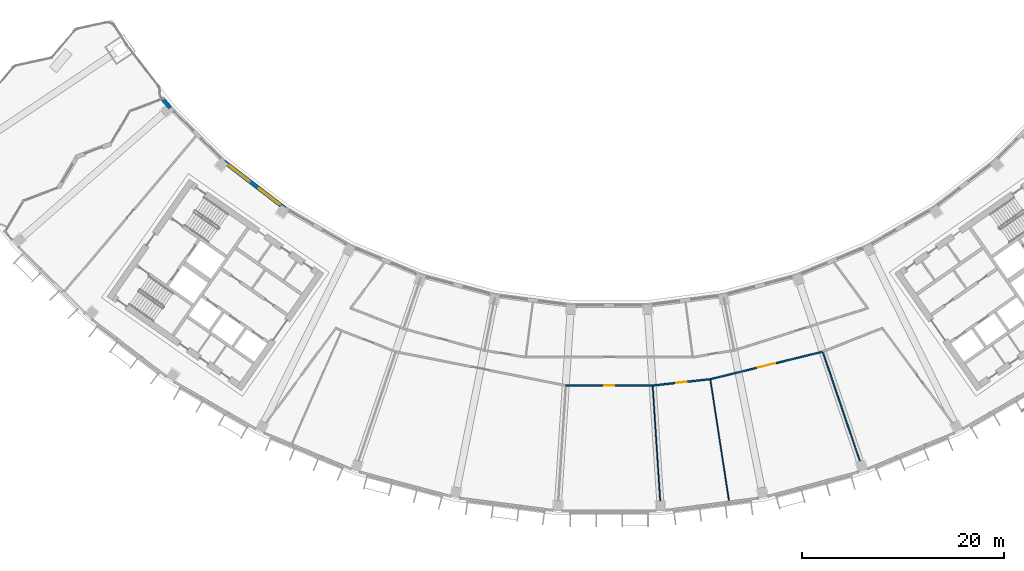
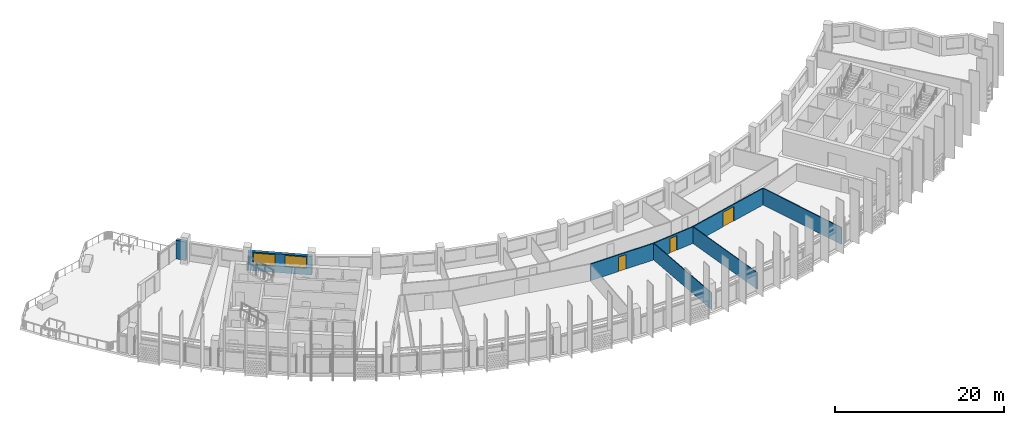
# One storey, part 4 of 29: 8 walls, 3 doors, 2 windows, 5 openings.
"""IFC4 building model written with IfcOpenShell, lengths in metres."""

from ifc_helpers import new_model, si_unit, direction, frame, frame_2d, origin, place, context, subcontext, project, spatial, rectangle, extrude, material, layer, layer_set, type_object, element, fill, save


model = new_model("IFC4")

# Units and contexts
model_context = context("Model", 3, precision=1e-05, world=origin(), true_north=direction((0.0, 1.0)))
body_context = subcontext(model_context, "Body", "Model", "MODEL_VIEW")
ifc_project = project(units=[si_unit("LENGTHUNIT", "METRE"), si_unit("AREAUNIT", "SQUARE_METRE"), si_unit("VOLUMEUNIT", "CUBIC_METRE"), si_unit("PLANEANGLEUNIT", "RADIAN"), si_unit("MASSUNIT", "GRAM", prefix="KILO")], contexts=[model_context])

# Site, building, storey
site_placement = place(None, origin())
site = spatial("IfcSite", under=ifc_project, at=site_placement, CompositionType="ELEMENT")
building_placement = place(site_placement, origin())
building = spatial("IfcBuilding", under=site, at=building_placement, Name="Qamariyya Broadcast Tower", CompositionType="ELEMENT")
storey_placement = place(building_placement, frame((0.0, 0.0, 258.10009765625)))
storey = spatial("IfcBuildingStorey", under=building, at=storey_placement, Name="L62", CompositionType="ELEMENT", Elevation=258.10009765625)

# Wall, opening, door
ifc_material_1 = material(Name="Gypsum board partition")
ifc_layer_1 = layer(ifc_material_1, 0.14990234375)
ifc_layer_set_1 = layer_set([ifc_layer_1], Name="Corridor partition 150 EI 60")
wall_type_1 = type_object("IfcWallType", Name="Corridor partition 150 EI 60", PredefinedType="PARTITIONING", material=ifc_layer_set_1)
wall_1_placement = place(storey_placement, frame((4.303466796875, -65.6591796875, 0.0), z_axis=(0.0, 0.0, 1.0), x_axis=(-1.0, 0.0, 0.0)))
wall_1 = element("IfcWall", 1, at=wall_1_placement, inside=storey, type_object=wall_type_1, Name="Partition L62-017", PredefinedType="PARTITIONING", context=body_context, shape_type="SweptSolid", body=[
    extrude(rectangle(XDim=8.60693359375, YDim=0.14990234375, at=frame_2d((4.303466796875, 0.0))), origin(), (0.0, 0.0, 1.0), 2.39990234375),
])
opening_1_placement = place(wall_1_placement, frame((3.803466796875, 0.0, 0.0)))
opening_1 = element("IfcOpeningElement", 2, at=opening_1_placement, cuts=wall_1, Name="Opening L62-D04", PredefinedType="OPENING", context=body_context, shape_type="SweptSolid", body=[
    extrude(rectangle(XDim=1.0, YDim=2.10009765625, at=frame_2d((0.5, 1.050048828125))), frame((0.0, 0.0849609375, 0.0), z_axis=(0.0, -1.0, 0.0), x_axis=(1.0, 0.0, 0.0)), (0.0, 0.0, 1.0), 0.169921875),
])
ifc_material_2 = material(Name="Timber fire door leaf", Category="wood")
door_type_1 = type_object("IfcDoorType", Name="Fire door 1000 x 2100 FD60", OperationType="NOTDEFINED", PredefinedType="DOOR", material=ifc_material_2)
door_1_placement = place(opening_1_placement, origin())
door_1 = element("IfcDoor", 3, at=door_1_placement, inside=storey, type_object=door_type_1, Name="Door L62-D04", OperationType="SINGLE_SWING_RIGHT", OverallHeight=2.10009765625, OverallWidth=1.0, PredefinedType="DOOR", context=body_context, shape_type="SweptSolid", body=[
    extrude(rectangle(XDim=1.0, YDim=2.10009765625, at=frame_2d((0.5, 1.050048828125))), frame((0.0, 0.02490234375, 0.0), z_axis=(0.0, -1.0, 0.0), x_axis=(1.0, 0.0, 0.0)), (0.0, 0.0, 1.0), 0.050048828125),
])
fill(opening_1, door_1)

wall_2_placement = place(storey_placement, frame((10.011474609375, -65.033935546875, 0.0), z_axis=(0.0, 0.0, 1.0), x_axis=(-0.99405415906, -0.108886770802, 0.0)))
wall_2 = element("IfcWall", 4, at=wall_2_placement, inside=storey, type_object=wall_type_1, Name="Partition L62-018", PredefinedType="PARTITIONING", context=body_context, shape_type="SweptSolid", body=[
    extrude(rectangle(XDim=5.7421875, YDim=0.14990234375, at=frame_2d((2.87109375, 0.0))), origin(), (0.0, 0.0, 1.0), 2.39990234375),
])
opening_2_placement = place(wall_2_placement, frame((2.37109375, 0.0, 0.0)))
opening_2 = element("IfcOpeningElement", 5, at=opening_2_placement, cuts=wall_2, Name="Opening L62-D05", PredefinedType="OPENING", context=body_context, shape_type="SweptSolid", body=[
    extrude(rectangle(XDim=1.0, YDim=2.10009765625, at=frame_2d((0.5, 1.050048828125))), frame((0.0, 0.0849609375, 0.0), z_axis=(0.0, -1.0, 0.0), x_axis=(1.0, 0.0, 0.0)), (0.0, 0.0, 1.0), 0.169921875),
])
door_2_placement = place(opening_2_placement, origin())
door_2 = element("IfcDoor", 6, at=door_2_placement, inside=storey, type_object=door_type_1, Name="Door L62-D05", OperationType="SINGLE_SWING_RIGHT", OverallHeight=2.10009765625, OverallWidth=1.0, PredefinedType="DOOR", context=body_context, shape_type="SweptSolid", body=[
    extrude(rectangle(XDim=1.0, YDim=2.10009765625, at=frame_2d((0.5, 1.050048828125))), frame((0.0, 0.02490234375, 0.0), z_axis=(0.0, -1.0, 0.0), x_axis=(1.0, 0.0, 0.0)), (0.0, 0.0, 1.0), 0.050048828125),
])
fill(opening_2, door_2)

wall_3_placement = place(storey_placement, frame((21.150634765625, -62.30810546875, 0.0), z_axis=(0.0, 0.0, 1.0), x_axis=(-0.971340158638, -0.23769370252, 0.0)))
wall_3 = element("IfcWall", 7, at=wall_3_placement, inside=storey, type_object=wall_type_1, Name="Partition L62-022", PredefinedType="PARTITIONING", context=body_context, shape_type="SweptSolid", body=[
    extrude(rectangle(XDim=11.4677734375, YDim=0.14990234375, at=frame_2d((5.73388671875, 0.0))), origin(), (0.0, 0.0, 1.0), 2.39990234375),
])
opening_3_placement = place(wall_3_placement, frame((4.833984375, 0.0, 0.0)))
opening_3 = element("IfcOpeningElement", 8, at=opening_3_placement, cuts=wall_3, Name="Opening L62-D06", PredefinedType="OPENING", context=body_context, shape_type="SweptSolid", body=[
    extrude(rectangle(XDim=1.800048828125, YDim=2.10009765625, at=frame_2d((0.89990234375, 1.050048828125))), frame((0.0, 0.0849609375, 0.0), z_axis=(0.0, -1.0, 0.0), x_axis=(1.0, 0.0, 0.0)), (0.0, 0.0, 1.0), 0.169921875),
])
door_type_2 = type_object("IfcDoorType", Name="Double fire door 1800 x 2100 FD60", OperationType="NOTDEFINED", PredefinedType="DOOR", material=ifc_material_2)
door_3_placement = place(opening_3_placement, origin())
door_3 = element("IfcDoor", 9, at=door_3_placement, inside=storey, type_object=door_type_2, Name="Door L62-D06", OperationType="DOUBLE_DOOR_SINGLE_SWING", OverallHeight=2.10009765625, OverallWidth=1.800048828125, PredefinedType="DOOR", context=body_context, shape_type="SweptSolid", body=[
    extrude(rectangle(XDim=1.800048828125, YDim=2.10009765625, at=frame_2d((0.89990234375, 1.050048828125))), frame((0.0, 0.02490234375, 0.0), z_axis=(0.0, -1.0, 0.0), x_axis=(1.0, 0.0, 0.0)), (0.0, 0.0, 1.0), 0.050048828125),
])
fill(opening_3, door_3)

# Walls
ifc_material_3 = material(Name="Operable acoustic wall panels")
ifc_layer_2 = layer(ifc_material_3, 0.125)
ifc_layer_set_2 = layer_set([ifc_layer_2], Name="Operable acoustic partition 125")
wall_type_2 = type_object("IfcWallType", Name="Operable acoustic partition 125", PredefinedType="MOVABLE", material=ifc_layer_set_2)
wall_4_placement = place(storey_placement, frame((25.12060546875, -74.002685546875, 0.0), z_axis=(0.0, 0.0, 1.0), x_axis=(-0.321443803948, 0.946928656712, 0.0)))
element("IfcWall", 10, at=wall_4_placement, inside=storey, type_object=wall_type_2, Name="Operable partition L62-028", PredefinedType="MOVABLE", context=body_context, shape_type="SweptSolid", body=[
    extrude(rectangle(XDim=12.275146484375, YDim=0.125, at=frame_2d((6.1376953125, 0.0))), origin(), (0.0, 0.0, 1.0), 2.39990234375),
])
ifc_layer_3 = layer(ifc_material_1, 0.10009765625)
ifc_layer_set_3 = layer_set([ifc_layer_3], Name="Partition 100")
wall_type_3 = type_object("IfcWallType", Name="Partition 100", PredefinedType="PARTITIONING", material=ifc_layer_set_3)
wall_5_placement = place(storey_placement, frame((5.111328125, -77.982666015625, 0.0), z_axis=(0.0, 0.0, 1.0), x_axis=(-0.065415386497, 0.997858119779, 0.0)))
element("IfcWall", 11, at=wall_5_placement, inside=storey, type_object=wall_type_3, Name="Partition L62-019", PredefinedType="PARTITIONING", context=body_context, shape_type="SweptSolid", body=[
    extrude(rectangle(XDim=12.275146484375, YDim=0.10009765625, at=frame_2d((6.1376953125, 0.0))), origin(), (0.0, 0.0, 1.0), 2.39990234375),
])
wall_6_placement = place(storey_placement, frame((11.867919921875, -77.0927734375, 0.0), z_axis=(0.0, 0.0, 1.0), x_axis=(-0.152152499911, 0.988357028999, 0.0)))
element("IfcWall", 12, at=wall_6_placement, inside=storey, type_object=wall_type_3, Name="Partition L62-024", PredefinedType="PARTITIONING", context=body_context, shape_type="SweptSolid", body=[
    extrude(rectangle(XDim=12.125732421875, YDim=0.10009765625, at=frame_2d((6.06298828125, 0.0))), origin(), (0.0, 0.0, 1.0), 2.39990234375),
])
ifc_material_4 = material(Name="Terracotta", Category="masonry")
ifc_layer_4 = layer(ifc_material_4, 0.39990234375)
ifc_layer_set_4 = layer_set([ifc_layer_4], Name="Terracotta clad wall 400")
wall_type_4 = type_object("IfcWallType", Name="Terracotta clad wall 400", PredefinedType="SOLIDWALL", material=ifc_layer_set_4)
wall_7_placement = place(storey_placement, frame((-43.48046875, -38.15869140625, 0.0), z_axis=(0.0, 0.0, 1.0), x_axis=(-0.651477684567, 0.758667797202, 0.0)))
element("IfcWall", 13, at=wall_7_placement, inside=storey, type_object=wall_type_4, Name="e-wl-L62-in00", PredefinedType="SOLIDWALL", context=body_context, shape_type="SweptSolid", body=[
    extrude(rectangle(XDim=1.22998046875, YDim=0.39990234375, at=frame_2d((0.614990234375, 0.0))), origin(), (0.0, 0.0, 1.0), 2.699951171875),
])

# Wall, openings, windows
wall_8_placement = place(storey_placement, frame((-32.1201171875, -48.1162109375, 0.0), z_axis=(0.0, 0.0, 1.0), x_axis=(-0.793347844099, 0.608768591719, 0.0)))
wall_8 = element("IfcWall", 14, at=wall_8_placement, inside=storey, type_object=wall_type_4, Name="e-wl-L62-in20", PredefinedType="SOLIDWALL", context=body_context, shape_type="SweptSolid", body=[
    extrude(rectangle(XDim=7.617431640625, YDim=0.39990234375, at=frame_2d((3.80859375, 0.0))), origin(), (0.0, 0.0, 1.0), 2.699951171875),
])
opening_4_placement = place(wall_8_placement, frame((4.393798828125, 0.0, 0.89990234375)))
opening_4 = element("IfcOpeningElement", 15, at=opening_4_placement, cuts=wall_8, Name="Opening W1", PredefinedType="OPENING", context=body_context, shape_type="SweptSolid", body=[
    extrude(rectangle(XDim=2.60009765625, YDim=1.64990234375, at=frame_2d((1.300048828125, 0.824951171875))), frame((0.0, 0.2099609375, 0.0), z_axis=(0.0, -1.0, 0.0), x_axis=(1.0, 0.0, 0.0)), (0.0, 0.0, 1.0), 0.419921875),
])
opening_5_placement = place(wall_8_placement, frame((0.623291015625, 0.0, 0.89990234375)))
opening_5 = element("IfcOpeningElement", 16, at=opening_5_placement, cuts=wall_8, Name="Opening W1", PredefinedType="OPENING", context=body_context, shape_type="SweptSolid", body=[
    extrude(rectangle(XDim=2.60009765625, YDim=1.64990234375, at=frame_2d((1.300048828125, 0.824951171875))), frame((0.0, 0.2099609375, 0.0), z_axis=(0.0, -1.0, 0.0), x_axis=(1.0, 0.0, 0.0)), (0.0, 0.0, 1.0), 0.419921875),
])
ifc_material_5 = material(Name="Clear low-e double glazed unit in aluminium frame", Category="aluminium")
window_type = type_object("IfcWindowType", Name="Ribbon window 2600 x 1650", PartitioningType="SINGLE_PANEL", PredefinedType="WINDOW", material=ifc_material_5)
window_1_placement = place(opening_4_placement, origin())
window_1 = element("IfcWindow", 17, at=window_1_placement, inside=storey, type_object=window_type, Name="e-w-L62-in02-0", OverallHeight=1.64990234375, OverallWidth=2.60009765625, PartitioningType="SINGLE_PANEL", PredefinedType="WINDOW", context=body_context, shape_type="SweptSolid", body=[
    extrude(rectangle(XDim=2.60009765625, YDim=1.64990234375, at=frame_2d((1.300048828125, 0.824951171875))), frame((0.0, 0.030029296875, 0.0), z_axis=(0.0, -1.0, 0.0), x_axis=(1.0, 0.0, 0.0)), (0.0, 0.0, 1.0), 0.06005859375),
])
fill(opening_4, window_1)
window_2_placement = place(opening_5_placement, origin())
window_2 = element("IfcWindow", 18, at=window_2_placement, inside=storey, type_object=window_type, Name="e-w-L62-in02-1", OverallHeight=1.64990234375, OverallWidth=2.60009765625, PartitioningType="SINGLE_PANEL", PredefinedType="WINDOW", context=body_context, shape_type="SweptSolid", body=[
    extrude(rectangle(XDim=2.60009765625, YDim=1.64990234375, at=frame_2d((1.300048828125, 0.824951171875))), frame((0.0, 0.030029296875, 0.0), z_axis=(0.0, -1.0, 0.0), x_axis=(1.0, 0.0, 0.0)), (0.0, 0.0, 1.0), 0.06005859375),
])
fill(opening_5, window_2)

save(model, "model.ifc")
